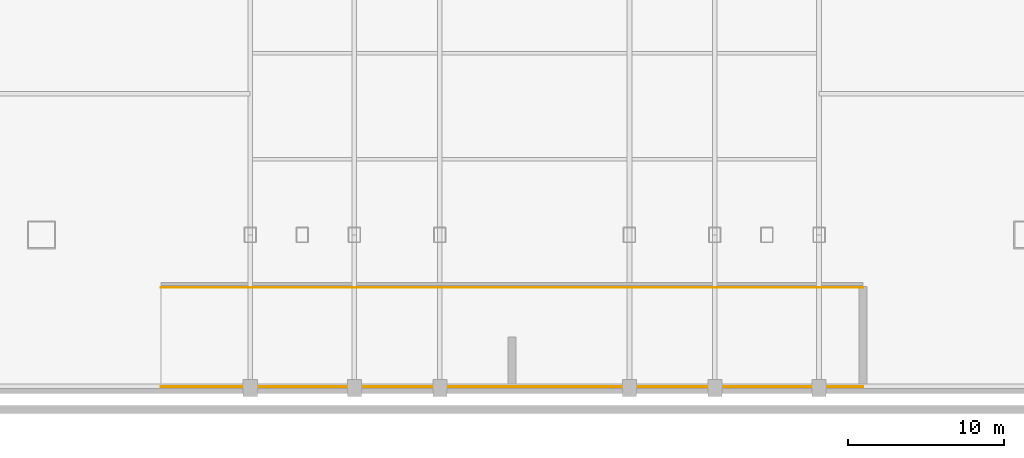
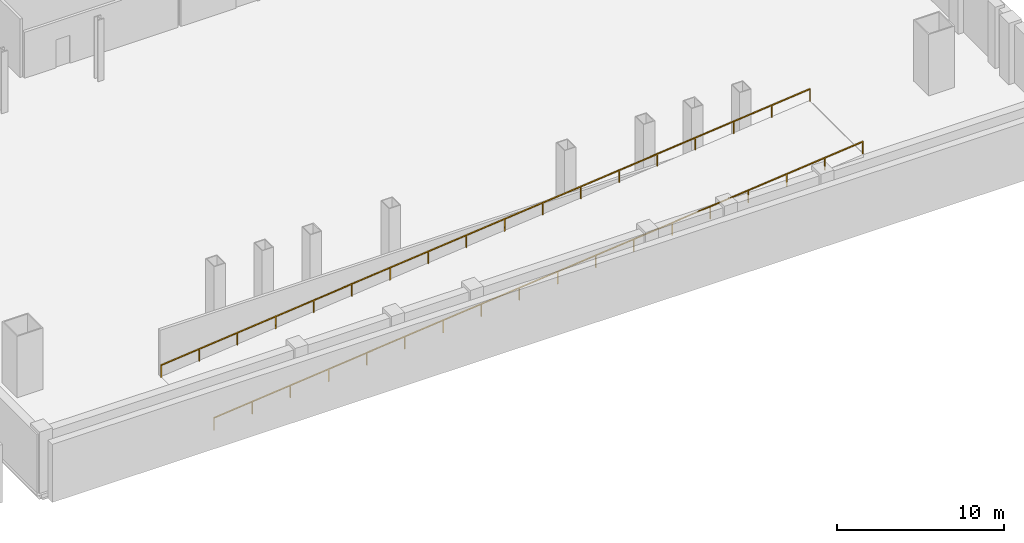
# One storey, part 9 of 10: 2 railings.
"""IFC4 building model written with IfcOpenShell, lengths in metres."""

from ifc_helpers import new_model, si_unit, direction, frame, origin, origin_2d, place, context, subcontext, project, spatial, rectangle, extrude, material, type_object, element, save


model = new_model("IFC4")

# Units and contexts
model_context = context("Model", 3, precision=1e-05, world=origin(), true_north=direction((0.0, 1.0)))
body_context = subcontext(model_context, "Body", "Model", "MODEL_VIEW")
ifc_project = project(units=[si_unit("LENGTHUNIT", "METRE"), si_unit("AREAUNIT", "SQUARE_METRE"), si_unit("VOLUMEUNIT", "CUBIC_METRE"), si_unit("PLANEANGLEUNIT", "RADIAN"), si_unit("MASSUNIT", "GRAM", prefix="KILO")], contexts=[model_context])

# Site, building, storey
site_placement = place(None, origin())
site = spatial("IfcSite", under=ifc_project, at=site_placement, CompositionType="ELEMENT")
building_placement = place(site_placement, origin())
building = spatial("IfcBuilding", under=site, at=building_placement, Name="Khoronbel Lancet Exchange", CompositionType="ELEMENT")
storey_placement = place(building_placement, frame((0.0, 0.0, -4.5)))
storey = spatial("IfcBuildingStorey", under=building, at=storey_placement, Name="B1", CompositionType="ELEMENT", Elevation=-4.5)

# Railings
ifc_material = material(Name="Brushed Stainless Steel 316", Category="steel")
railing_type = type_object("IfcRailingType", Name="RL-RMP92", PredefinedType="HANDRAIL", material=ifc_material)
railing_1_placement = place(storey_placement, frame((12.5, 0.419921875, 0.0)))
element("IfcRailing", 1, at=railing_1_placement, inside=storey, type_object=railing_type, Name="Vehicle ramp VR1 south safety handrail", PredefinedType="HANDRAIL", context=body_context, shape_type="SweptSolid", body=[
    extrude(rectangle(XDim=0.052001953125, YDim=0.052001953125, at=origin_2d()), frame((0.0, 0.0, 0.89404296875), z_axis=(0.99503719021, 0.0, 0.099503719021), x_axis=(0.0, 1.0, 0.0)), (0.0, 0.0, 1.0), 45.224365234375),
    extrude(rectangle(XDim=0.0419921875, YDim=0.0419921875, at=origin_2d()), origin(), (0.0, 0.0, 1.0), 0.867919921875),
    extrude(rectangle(XDim=0.0419921875, YDim=0.0419921875, at=origin_2d()), frame((2.64697265625, 0.0, 0.2646484375)), (0.0, 0.0, 1.0), 0.867919921875),
    extrude(rectangle(XDim=0.0419921875, YDim=0.0419921875, at=origin_2d()), frame((5.294189453125, 0.0, 0.529296875)), (0.0, 0.0, 1.0), 0.867919921875),
    extrude(rectangle(XDim=0.0419921875, YDim=0.0419921875, at=origin_2d()), frame((7.941162109375, 0.0, 0.794189453125)), (0.0, 0.0, 1.0), 0.867919921875),
    extrude(rectangle(XDim=0.0419921875, YDim=0.0419921875, at=origin_2d()), frame((10.588134765625, 0.0, 1.058837890625)), (0.0, 0.0, 1.0), 0.867919921875),
    extrude(rectangle(XDim=0.0419921875, YDim=0.0419921875, at=origin_2d()), frame((13.2353515625, 0.0, 1.323486328125)), (0.0, 0.0, 1.0), 0.867919921875),
    extrude(rectangle(XDim=0.0419921875, YDim=0.0419921875, at=origin_2d()), frame((15.88232421875, 0.0, 1.588134765625)), (0.0, 0.0, 1.0), 0.867919921875),
    extrude(rectangle(XDim=0.0419921875, YDim=0.0419921875, at=origin_2d()), frame((18.529296875, 0.0, 1.85302734375)), (0.0, 0.0, 1.0), 0.867919921875),
    extrude(rectangle(XDim=0.0419921875, YDim=0.0419921875, at=origin_2d()), frame((21.176513671875, 0.0, 2.11767578125)), (0.0, 0.0, 1.0), 0.867919921875),
    extrude(rectangle(XDim=0.0419921875, YDim=0.0419921875, at=origin_2d()), frame((23.823486328125, 0.0, 2.38232421875)), (0.0, 0.0, 1.0), 0.867919921875),
    extrude(rectangle(XDim=0.0419921875, YDim=0.0419921875, at=origin_2d()), frame((26.470703125, 0.0, 2.64697265625)), (0.0, 0.0, 1.0), 0.867919921875),
    extrude(rectangle(XDim=0.0419921875, YDim=0.0419921875, at=origin_2d()), frame((29.11767578125, 0.0, 2.911865234375)), (0.0, 0.0, 1.0), 0.867919921875),
    extrude(rectangle(XDim=0.0419921875, YDim=0.0419921875, at=origin_2d()), frame((31.7646484375, 0.0, 3.176513671875)), (0.0, 0.0, 1.0), 0.867919921875),
    extrude(rectangle(XDim=0.0419921875, YDim=0.0419921875, at=origin_2d()), frame((34.411865234375, 0.0, 3.441162109375)), (0.0, 0.0, 1.0), 0.867919921875),
    extrude(rectangle(XDim=0.0419921875, YDim=0.0419921875, at=origin_2d()), frame((37.058837890625, 0.0, 3.705810546875)), (0.0, 0.0, 1.0), 0.867919921875),
    extrude(rectangle(XDim=0.0419921875, YDim=0.0419921875, at=origin_2d()), frame((39.705810546875, 0.0, 3.970703125)), (0.0, 0.0, 1.0), 0.867919921875),
    extrude(rectangle(XDim=0.0419921875, YDim=0.0419921875, at=origin_2d()), frame((42.35302734375, 0.0, 4.2353515625)), (0.0, 0.0, 1.0), 0.867919921875),
    extrude(rectangle(XDim=0.0419921875, YDim=0.0419921875, at=origin_2d()), frame((45.0, 0.0, 4.5)), (0.0, 0.0, 1.0), 0.867919921875),
])
railing_2_placement = place(storey_placement, frame((12.5, 6.780029296875, 0.0)))
element("IfcRailing", 2, at=railing_2_placement, inside=storey, type_object=railing_type, Name="Vehicle ramp VR1 north safety handrail", PredefinedType="HANDRAIL", context=body_context, shape_type="SweptSolid", body=[
    extrude(rectangle(XDim=0.052001953125, YDim=0.052001953125, at=origin_2d()), frame((0.0, 0.0, 0.89404296875), z_axis=(0.99503719021, 0.0, 0.099503719021), x_axis=(0.0, 1.0, 0.0)), (0.0, 0.0, 1.0), 45.224365234375),
    extrude(rectangle(XDim=0.0419921875, YDim=0.0419921875, at=origin_2d()), origin(), (0.0, 0.0, 1.0), 0.867919921875),
    extrude(rectangle(XDim=0.0419921875, YDim=0.0419921875, at=origin_2d()), frame((2.64697265625, 0.0, 0.2646484375)), (0.0, 0.0, 1.0), 0.867919921875),
    extrude(rectangle(XDim=0.0419921875, YDim=0.0419921875, at=origin_2d()), frame((5.294189453125, 0.0, 0.529296875)), (0.0, 0.0, 1.0), 0.867919921875),
    extrude(rectangle(XDim=0.0419921875, YDim=0.0419921875, at=origin_2d()), frame((7.941162109375, 0.0, 0.794189453125)), (0.0, 0.0, 1.0), 0.867919921875),
    extrude(rectangle(XDim=0.0419921875, YDim=0.0419921875, at=origin_2d()), frame((10.588134765625, 0.0, 1.058837890625)), (0.0, 0.0, 1.0), 0.867919921875),
    extrude(rectangle(XDim=0.0419921875, YDim=0.0419921875, at=origin_2d()), frame((13.2353515625, 0.0, 1.323486328125)), (0.0, 0.0, 1.0), 0.867919921875),
    extrude(rectangle(XDim=0.0419921875, YDim=0.0419921875, at=origin_2d()), frame((15.88232421875, 0.0, 1.588134765625)), (0.0, 0.0, 1.0), 0.867919921875),
    extrude(rectangle(XDim=0.0419921875, YDim=0.0419921875, at=origin_2d()), frame((18.529296875, 0.0, 1.85302734375)), (0.0, 0.0, 1.0), 0.867919921875),
    extrude(rectangle(XDim=0.0419921875, YDim=0.0419921875, at=origin_2d()), frame((21.176513671875, 0.0, 2.11767578125)), (0.0, 0.0, 1.0), 0.867919921875),
    extrude(rectangle(XDim=0.0419921875, YDim=0.0419921875, at=origin_2d()), frame((23.823486328125, 0.0, 2.38232421875)), (0.0, 0.0, 1.0), 0.867919921875),
    extrude(rectangle(XDim=0.0419921875, YDim=0.0419921875, at=origin_2d()), frame((26.470703125, 0.0, 2.64697265625)), (0.0, 0.0, 1.0), 0.867919921875),
    extrude(rectangle(XDim=0.0419921875, YDim=0.0419921875, at=origin_2d()), frame((29.11767578125, 0.0, 2.911865234375)), (0.0, 0.0, 1.0), 0.867919921875),
    extrude(rectangle(XDim=0.0419921875, YDim=0.0419921875, at=origin_2d()), frame((31.7646484375, 0.0, 3.176513671875)), (0.0, 0.0, 1.0), 0.867919921875),
    extrude(rectangle(XDim=0.0419921875, YDim=0.0419921875, at=origin_2d()), frame((34.411865234375, 0.0, 3.441162109375)), (0.0, 0.0, 1.0), 0.867919921875),
    extrude(rectangle(XDim=0.0419921875, YDim=0.0419921875, at=origin_2d()), frame((37.058837890625, 0.0, 3.705810546875)), (0.0, 0.0, 1.0), 0.867919921875),
    extrude(rectangle(XDim=0.0419921875, YDim=0.0419921875, at=origin_2d()), frame((39.705810546875, 0.0, 3.970703125)), (0.0, 0.0, 1.0), 0.867919921875),
    extrude(rectangle(XDim=0.0419921875, YDim=0.0419921875, at=origin_2d()), frame((42.35302734375, 0.0, 4.2353515625)), (0.0, 0.0, 1.0), 0.867919921875),
    extrude(rectangle(XDim=0.0419921875, YDim=0.0419921875, at=origin_2d()), frame((45.0, 0.0, 4.5)), (0.0, 0.0, 1.0), 0.867919921875),
])

save(model, "model.ifc")
